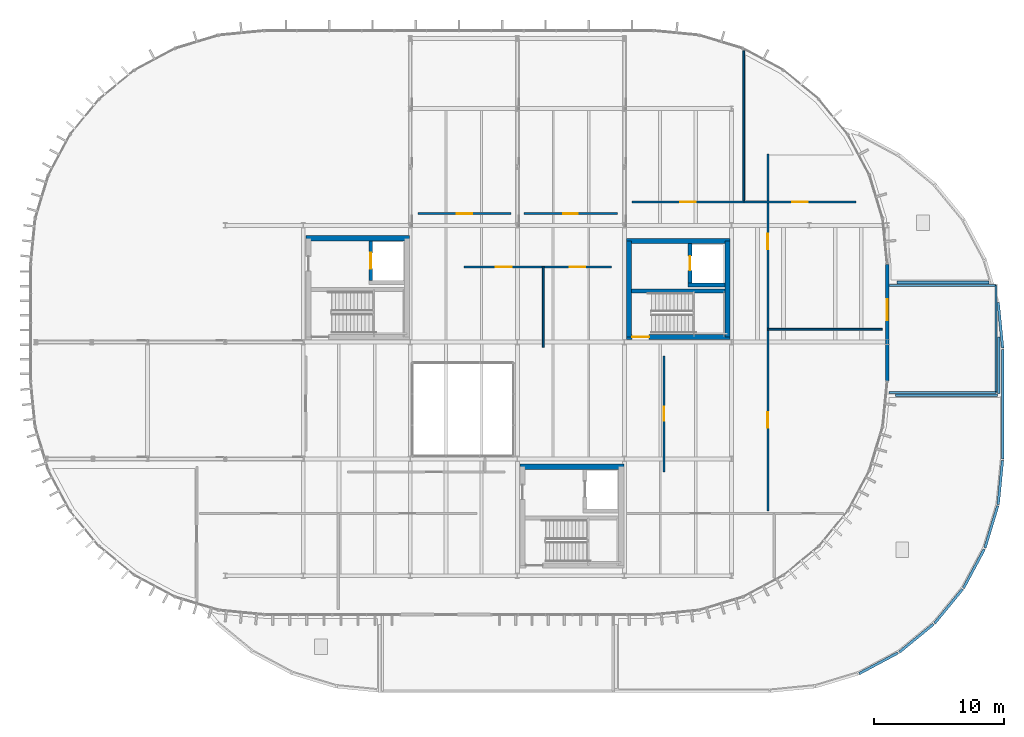
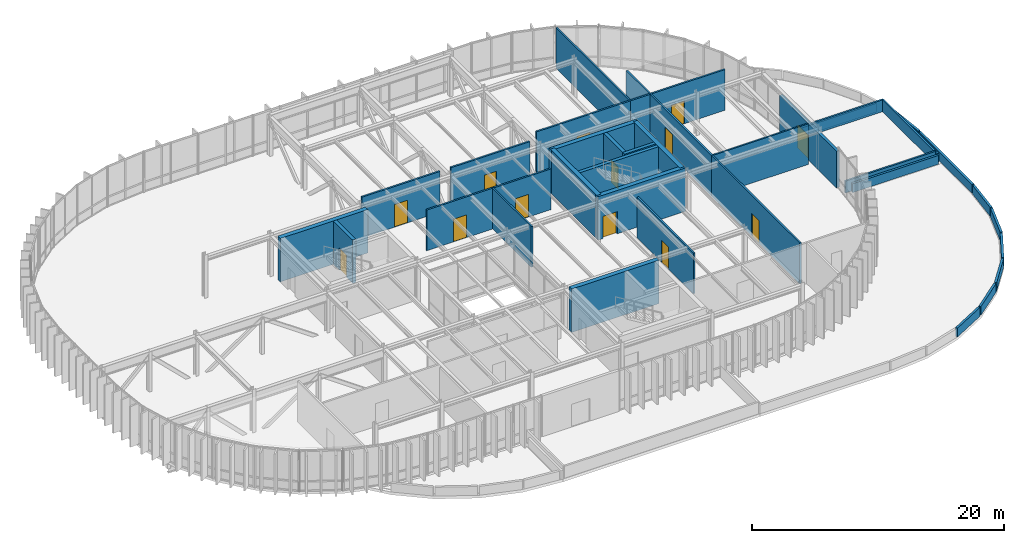
# One storey, part 23 of 29: 37 walls, 13 doors, 13 openings.
"""IFC4 building model written with IfcOpenShell, lengths in metres."""

from ifc_helpers import new_model, si_unit, direction, frame, frame_2d, origin, place, context, subcontext, project, spatial, rectangle, extrude, material, layer, layer_set, type_object, element, fill, save


model = new_model("IFC4")

# Units and contexts
model_context = context("Model", 3, precision=1e-05, world=origin(), true_north=direction((0.0, 1.0)))
body_context = subcontext(model_context, "Body", "Model", "MODEL_VIEW")
ifc_project = project(units=[si_unit("LENGTHUNIT", "METRE"), si_unit("AREAUNIT", "SQUARE_METRE"), si_unit("VOLUMEUNIT", "CUBIC_METRE"), si_unit("PLANEANGLEUNIT", "RADIAN"), si_unit("MASSUNIT", "GRAM", prefix="KILO")], contexts=[model_context])

# Site, building, storey
site_placement = place(None, origin())
site = spatial("IfcSite", under=ifc_project, at=site_placement, CompositionType="ELEMENT")
building_placement = place(site_placement, origin())
building = spatial("IfcBuilding", under=site, at=building_placement, Name="Montealbar Specialist Clinic", CompositionType="ELEMENT")
storey_placement = place(building_placement, frame((0.0, 0.0, 22.199951171875)))
storey = spatial("IfcBuildingStorey", under=building, at=storey_placement, Name="L05", CompositionType="ELEMENT", Elevation=22.199951171875)

# Wall, opening, door
ifc_material_1 = material(Name="Concrete C35/45", Category="concrete")
ifc_layer_1 = layer(ifc_material_1, 0.300048828125, Name="Concrete C35/45", Category="concrete")
ifc_layer_set_1 = layer_set([ifc_layer_1], Name="Concrete C35/45")
wall_type_1 = type_object("IfcWallType", Name="WL-CORE-300", PredefinedType="SHEAR", material=ifc_layer_set_1)
wall_1_placement = place(storey_placement, frame((71.199951171875, 31.75, 0.0), z_axis=(0.0, 0.0, 1.0), x_axis=(0.0, 1.0, 0.0)))
wall_1 = element("IfcWall", 1, at=wall_1_placement, inside=storey, type_object=wall_type_1, Name="Lift FL-01 Shaft Wall L05 LW", PredefinedType="SHEAR", context=body_context, shape_type="SweptSolid", body=[
    extrude(rectangle(XDim=3.050048828125, YDim=0.300048828125, at=frame_2d((1.52490234375, 0.0))), origin(), (0.0, 0.0, 1.0), 4.199951171875),
])
opening_1_placement = place(wall_1_placement, frame((0.925048828125, 0.0, 0.0)))
opening_1 = element("IfcOpeningElement", 2, at=opening_1_placement, cuts=wall_1, Name="Opening LD-12", PredefinedType="OPENING", context=body_context, shape_type="SweptSolid", body=[
    extrude(rectangle(XDim=1.199951171875, YDim=2.14990234375, at=frame_2d((0.60009765625, 1.074951171875))), frame((0.0, 0.159912109375, 0.0), z_axis=(0.0, -1.0, 0.0), x_axis=(1.0, 0.0, 0.0)), (0.0, 0.0, 1.0), 0.320068359375),
])
ifc_material_2 = material(Name="Steel S355", Category="steel")
door_type_1 = type_object("IfcDoorType", Name="DR-LIFT-LD1200", OperationType="DOUBLE_DOOR_SLIDING", PredefinedType="DOOR", material=ifc_material_2)
door_1_placement = place(opening_1_placement, origin())
door_1 = element("IfcDoor", 3, at=door_1_placement, inside=storey, type_object=door_type_1, Name="Lift FL-01 Sliding Landing Door L05", OperationType="DOUBLE_DOOR_SLIDING", OverallHeight=2.14990234375, OverallWidth=1.199951171875, PredefinedType="DOOR", context=body_context, shape_type="SweptSolid", body=[
    extrude(rectangle(XDim=1.199951171875, YDim=2.14990234375, at=frame_2d((0.60009765625, 1.074951171875))), frame((0.0, 0.02490234375, 0.0), z_axis=(0.0, -1.0, 0.0), x_axis=(1.0, 0.0, 0.0)), (0.0, 0.0, 1.0), 0.050048828125),
])
fill(opening_1, door_1)

# Walls
wall_2_placement = place(storey_placement, frame((91.300048828125, 30.949951171875, 0.0), z_axis=(0.0, 0.0, 1.0), x_axis=(1.0, 0.0, 0.0)))
element("IfcWall", 4, at=wall_2_placement, inside=storey, type_object=wall_type_1, Name="Core C5 Stairwell Wall L05", PredefinedType="SHEAR", context=body_context, shape_type="SweptSolid", body=[
    extrude(rectangle(XDim=7.199951171875, YDim=0.300048828125, at=frame_2d((3.60009765625, 0.0))), origin(), (0.0, 0.0, 1.0), 4.199951171875),
])
wall_3_placement = place(storey_placement, frame((95.64990234375, 31.39990234375, 0.0), z_axis=(0.0, 0.0, 1.0), x_axis=(1.0, 0.0, 0.0)))
element("IfcWall", 5, at=wall_3_placement, inside=storey, type_object=wall_type_1, Name="Lift LF-03 Shaft Wall L05 LS", PredefinedType="SHEAR", context=body_context, shape_type="SweptSolid", body=[
    extrude(rectangle(XDim=2.85009765625, YDim=0.300048828125, at=frame_2d((1.425048828125, 0.0))), origin(), (0.0, 0.0, 1.0), 4.199951171875),
])

# Wall, opening, door
wall_4_placement = place(storey_placement, frame((95.800048828125, 31.550048828125, 0.0), z_axis=(0.0, 0.0, 1.0), x_axis=(0.0, 1.0, 0.0)))
wall_4 = element("IfcWall", 6, at=wall_4_placement, inside=storey, type_object=wall_type_1, Name="Lift LF-03 Shaft Wall L05 LW", PredefinedType="SHEAR", context=body_context, shape_type="SweptSolid", body=[
    extrude(rectangle(XDim=3.050048828125, YDim=0.300048828125, at=frame_2d((1.52490234375, 0.0))), origin(), (0.0, 0.0, 1.0), 4.199951171875),
])
opening_2_placement = place(wall_4_placement, frame((0.97509765625, 0.0, 0.0)))
opening_2 = element("IfcOpeningElement", 7, at=opening_2_placement, cuts=wall_4, Name="Opening LD-11", PredefinedType="OPENING", context=body_context, shape_type="SweptSolid", body=[
    extrude(rectangle(XDim=1.10009765625, YDim=2.14990234375, at=frame_2d((0.550048828125, 1.074951171875))), frame((0.0, 0.159912109375, 0.0), z_axis=(0.0, -1.0, 0.0), x_axis=(1.0, 0.0, 0.0)), (0.0, 0.0, 1.0), 0.320068359375),
])
door_type_2 = type_object("IfcDoorType", Name="DR-LIFT-LD1100", OperationType="DOUBLE_DOOR_SLIDING", PredefinedType="DOOR", material=ifc_material_2)
door_2_placement = place(opening_2_placement, origin())
door_2 = element("IfcDoor", 8, at=door_2_placement, inside=storey, type_object=door_type_2, Name="Lift LF-03 Sliding Landing Door L05", OperationType="DOUBLE_DOOR_SLIDING", OverallHeight=2.14990234375, OverallWidth=1.10009765625, PredefinedType="DOOR", context=body_context, shape_type="SweptSolid", body=[
    extrude(rectangle(XDim=1.10009765625, YDim=2.14990234375, at=frame_2d((0.550048828125, 1.074951171875))), frame((0.0, 0.02490234375, 0.0), z_axis=(0.0, -1.0, 0.0), x_axis=(1.0, 0.0, 0.0)), (0.0, 0.0, 1.0), 0.050048828125),
])
fill(opening_2, door_2)

# Walls
ifc_layer_2 = layer(ifc_material_1, 0.39990234375, Name="Concrete C35/45", Category="concrete")
ifc_layer_set_2 = layer_set([ifc_layer_2], Name="Concrete C35/45")
wall_type_2 = type_object("IfcWallType", Name="WL-CORE-400", PredefinedType="SHEAR", material=ifc_layer_set_2)
for number, where, z_axis, x_axis, name in (
    (9, (66.199951171875, 35.0, 0.0), (0.0, 0.0, 1.0), (1.0, 0.0, 0.0), "Core C3 Shear Wall L05 N"),
    (10, (82.699951171875, 17.39990234375, 0.0), (0.0, 0.0, 1.0), (1.0, 0.0, 0.0), "Core C4 Shear Wall L05 N"),
):
    element("IfcWall", number, at=place(storey_placement, frame(where, z_axis=z_axis, x_axis=x_axis)), inside=storey, type_object=wall_type_2, Name=name, PredefinedType="SHEAR", context=body_context, shape_type="SweptSolid", body=[
        extrude(rectangle(XDim=8.0, YDim=0.39990234375, at=frame_2d((4.0, 0.0))), origin(), (0.0, 0.0, 1.0), 4.199951171875),
    ])

# Wall, opening, door
wall_5_placement = place(storey_placement, frame((90.89990234375, 27.39990234375, 0.0), z_axis=(0.0, 0.0, 1.0), x_axis=(1.0, 0.0, 0.0)))
wall_5 = element("IfcWall", 11, at=wall_5_placement, inside=storey, type_object=wall_type_2, Name="Core C5 Shear Wall L05 S", PredefinedType="SHEAR", context=body_context, shape_type="SweptSolid", body=[
    extrude(rectangle(XDim=8.0, YDim=0.39990234375, at=frame_2d((4.0, 0.0))), origin(), (0.0, 0.0, 1.0), 4.199951171875),
])
opening_3_placement = place(wall_5_placement, frame((0.449951171875, 0.0, 0.0)))
opening_3 = element("IfcOpeningElement", 12, at=opening_3_placement, cuts=wall_5, Name="Opening SD-13", PredefinedType="OPENING", context=body_context, shape_type="SweptSolid", body=[
    extrude(rectangle(XDim=1.300048828125, YDim=2.14990234375, at=frame_2d((0.64990234375, 1.074951171875))), frame((0.0, 0.2099609375, 0.0), z_axis=(0.0, -1.0, 0.0), x_axis=(1.0, 0.0, 0.0)), (0.0, 0.0, 1.0), 0.419921875),
])
door_type_3 = type_object("IfcDoorType", Name="DR-STAIR-W1300", OperationType="NOTDEFINED", PredefinedType="DOOR", material=ifc_material_2)
door_3_placement = place(opening_3_placement, frame((1.300048828125, 0.0, 0.0), z_axis=(0.0, 0.0, 1.0), x_axis=(-1.0, 0.0, 0.0)))
door_3 = element("IfcDoor", 13, at=door_3_placement, inside=storey, type_object=door_type_3, Name="Protected Core C5 Stair Fire Door L05", OperationType="SINGLE_SWING_RIGHT", OverallHeight=2.14990234375, OverallWidth=1.300048828125, PredefinedType="DOOR", context=body_context, shape_type="SweptSolid", body=[
    extrude(rectangle(XDim=1.300048828125, YDim=2.14990234375, at=frame_2d((0.64990234375, 1.074951171875))), frame((0.0, 0.02490234375, 0.0), z_axis=(0.0, -1.0, 0.0), x_axis=(1.0, 0.0, 0.0)), (0.0, 0.0, 1.0), 0.050048828125),
])
fill(opening_3, door_3)

# Walls
wall_6_placement = place(storey_placement, frame((90.89990234375, 34.800048828125, 0.0), z_axis=(0.0, 0.0, 1.0), x_axis=(1.0, 0.0, 0.0)))
element("IfcWall", 14, at=wall_6_placement, inside=storey, type_object=wall_type_2, Name="Core C5 Shear Wall L05 N", PredefinedType="SHEAR", context=body_context, shape_type="SweptSolid", body=[
    extrude(rectangle(XDim=8.0, YDim=0.39990234375, at=frame_2d((4.0, 0.0))), origin(), (0.0, 0.0, 1.0), 4.199951171875),
])
for number, where, z_axis, x_axis, name in (
    (15, (91.10009765625, 27.39990234375, 0.0), (0.0, 0.0, 1.0), (0.0, 1.0, 0.0), "Core C5 Shear Wall L05 W"),
    (16, (98.699951171875, 27.39990234375, 0.0), (0.0, 0.0, 1.0), (0.0, 1.0, 0.0), "Core C5 Shear Wall L05 E"),
):
    element("IfcWall", number, at=place(storey_placement, frame(where, z_axis=z_axis, x_axis=x_axis)), inside=storey, type_object=wall_type_2, Name=name, PredefinedType="SHEAR", context=body_context, shape_type="SweptSolid", body=[
        extrude(rectangle(XDim=7.400146484375, YDim=0.39990234375, at=frame_2d((3.7001953125, 0.0))), origin(), (0.0, 0.0, 1.0), 4.199951171875),
    ])

# Wall, opening, door
ifc_material_3 = material(Name="Terracotta architectural cladding", Category="masonry")
ifc_layer_3 = layer(ifc_material_3, 0.260009765625, Name="Terracotta architectural cladding", Category="masonry")
ifc_layer_set_3 = layer_set([ifc_layer_3], Name="Terracotta architectural cladding")
wall_type_3 = type_object("IfcWallType", Name="WL-EXT-TERRA-260", PredefinedType="SOLIDWALL", material=ifc_layer_set_3)
wall_7_placement = place(storey_placement, frame((111.0, 33.0, 0.0), z_axis=(0.0, 0.0, 1.0), x_axis=(0.0, -1.0, 0.0)))
wall_7 = element("IfcWall", 17, at=wall_7_placement, inside=storey, type_object=wall_type_3, Name="Exterior Facade Wall EW-L05-065", PredefinedType="SOLIDWALL", context=body_context, shape_type="SweptSolid", body=[
    extrude(rectangle(XDim=9.0, YDim=0.260009765625, at=frame_2d((4.5, 0.0))), origin(), (0.0, 0.0, 1.0), 3.5400390625),
])
opening_4_placement = place(wall_7_placement, frame((2.675048828125, 0.0, 0.0)))
opening_4 = element("IfcOpeningElement", 18, at=opening_4_placement, cuts=wall_7, Name="Opening TD-16", PredefinedType="OPENING", context=body_context, shape_type="SweptSolid", body=[
    extrude(rectangle(XDim=1.64990234375, YDim=2.199951171875, at=frame_2d((0.824951171875, 1.10009765625))), frame((0.0, 0.139892578125, 0.0), z_axis=(0.0, -1.0, 0.0), x_axis=(1.0, 0.0, 0.0)), (0.0, 0.0, 1.0), 0.280029296875),
])
ifc_material_4 = material(Name="Powder-coated aluminium", Category="aluminium")
door_type_4 = type_object("IfcDoorType", Name="DR-TERR-W1650", OperationType="DOUBLE_DOOR_SINGLE_SWING", PredefinedType="DOOR", material=ifc_material_4)
door_4_placement = place(opening_4_placement, origin())
door_4 = element("IfcDoor", 19, at=door_4_placement, inside=storey, type_object=door_type_4, Name="East Sky-Garden Terrace Door L05", OperationType="DOUBLE_DOOR_SINGLE_SWING", OverallHeight=2.199951171875, OverallWidth=1.64990234375, PredefinedType="DOOR", context=body_context, shape_type="SweptSolid", body=[
    extrude(rectangle(XDim=1.64990234375, YDim=2.199951171875, at=frame_2d((0.824951171875, 1.10009765625))), frame((0.0, 0.02490234375, 0.0), z_axis=(0.0, -1.0, 0.0), x_axis=(1.0, 0.0, 0.0)), (0.0, 0.0, 1.0), 0.050048828125),
])
fill(opening_4, door_4)

# Walls
ifc_material_5 = material(Name="Guadarrama granite ashlar", Category="masonry")
ifc_layer_4 = layer(ifc_material_5, 0.159912109375, Name="Guadarrama granite ashlar", Category="masonry")
ifc_layer_set_4 = layer_set([ifc_layer_4], Name="Guadarrama granite ashlar")
wall_type_4 = type_object("IfcWallType", Name="WL-PARAPET-160", PredefinedType="PARAPET", material=ifc_layer_set_4)
for number, where, z_axis, x_axis, name in (
    (20, (119.3798828125, 23.1201171875, 0.0), (0.0, 0.0, 1.0), (0.0, 1.0, 0.0), "Terrace Separation Parapet TERR-L05-EAST-E"),
    (21, (111.1201171875, 31.3798828125, 0.0), (0.0, 0.0, 1.0), (1.0, 0.0, 0.0), "Terrace Separation Parapet TERR-L05-EAST-N"),
    (22, (111.1201171875, 23.1201171875, 0.0), (0.0, 0.0, 1.0), (1.0, 0.0, 0.0), "Terrace Separation Parapet TERR-L05-EAST-S"),
):
    element("IfcWall", number, at=place(storey_placement, frame(where, z_axis=z_axis, x_axis=x_axis)), inside=storey, type_object=wall_type_4, Name=name, PredefinedType="PARAPET", context=body_context, shape_type="SweptSolid", body=[
        extrude(rectangle(XDim=8.259765625, YDim=0.159912109375, at=frame_2d((4.1298828125, 0.0))), origin(), (0.0, 0.0, 1.0), 1.14013671875),
    ])
ifc_material_6 = material(Name="Precast concrete C40/50", Category="concrete")
ifc_layer_5 = layer(ifc_material_6, 0.199951171875, Name="Precast concrete C40/50", Category="concrete")
ifc_layer_set_5 = layer_set([ifc_layer_5], Name="Precast concrete C40/50")
wall_type_5 = type_object("IfcWallType", Name="WL-PARAPET-200", PredefinedType="PARAPET", material=ifc_layer_set_5)
wall_8_placement = place(storey_placement, frame((119.553955078125, 30.052001953125, 0.0), z_axis=(0.0, 0.0, 1.0), x_axis=(0.098030923459, -0.995183369056, 0.0)))
element("IfcWall", 23, at=wall_8_placement, inside=storey, type_object=wall_type_5, Name="Roof Parapet L05-049", PredefinedType="PARAPET", context=body_context, shape_type="SweptSolid", body=[
    extrude(rectangle(XDim=3.529052734375, YDim=0.199951171875, at=frame_2d((1.7646484375, 0.0))), origin(), (0.0, 0.0, 1.0), 0.85009765625),
])
wall_9_placement = place(storey_placement, frame((119.89990234375, 26.424072265625, 0.0), z_axis=(0.0, 0.0, 1.0), x_axis=(0.0, -1.0, 0.0)))
element("IfcWall", 24, at=wall_9_placement, inside=storey, type_object=wall_type_5, Name="Roof Parapet L05-050", PredefinedType="PARAPET", context=body_context, shape_type="SweptSolid", body=[
    extrude(rectangle(XDim=8.424072265625, YDim=0.199951171875, at=frame_2d((4.2119140625, 0.0))), origin(), (0.0, 0.0, 1.0), 0.85009765625),
])
wall_10_placement = place(storey_placement, frame((119.887939453125, 17.885009765625, 0.0), z_axis=(0.0, 0.0, 1.0), x_axis=(-0.098132855601, -0.99517332292, 0.0)))
element("IfcWall", 25, at=wall_10_placement, inside=storey, type_object=wall_type_5, Name="Roof Parapet L05-051", PredefinedType="PARAPET", context=body_context, shape_type="SweptSolid", body=[
    extrude(rectangle(XDim=3.4033203125, YDim=0.199951171875, at=frame_2d((1.70166015625, 0.0))), origin(), (0.0, 0.0, 1.0), 0.85009765625),
])
wall_11_placement = place(storey_placement, frame((119.51806640625, 14.385986328125, 0.0), z_axis=(0.0, 0.0, 1.0), x_axis=(-0.290233198067, -0.956955950261, 0.0)))
element("IfcWall", 26, at=wall_11_placement, inside=storey, type_object=wall_type_5, Name="Roof Parapet L05-052", PredefinedType="PARAPET", context=body_context, shape_type="SweptSolid", body=[
    extrude(rectangle(XDim=3.390869140625, YDim=0.199951171875, at=frame_2d((1.6953125, 0.0))), origin(), (0.0, 0.0, 1.0), 0.85009765625),
])
for number, where, z_axis, x_axis, name in (
    (27, (118.47705078125, 11.0380859375, 0.0), (0.0, 0.0, 1.0), (-0.471492141257, -0.881870262983, 0.0), "Roof Parapet L05-053"),
    (28, (116.802001953125, 7.95703125, 0.0), (0.0, 0.0, 1.0), (-0.634260351342, -0.773119529385, 0.0), "Roof Parapet L05-054"),
):
    element("IfcWall", number, at=place(storey_placement, frame(where, z_axis=z_axis, x_axis=x_axis)), inside=storey, type_object=wall_type_5, Name=name, PredefinedType="PARAPET", context=body_context, shape_type="SweptSolid", body=[
        extrude(rectangle(XDim=3.3916015625, YDim=0.199951171875, at=frame_2d((1.69580078125, 0.0))), origin(), (0.0, 0.0, 1.0), 0.85009765625),
    ])
wall_12_placement = place(storey_placement, frame((114.55908203125, 5.261962890625, 0.0), z_axis=(0.0, 0.0, 1.0), x_axis=(-0.773154828325, -0.634217321931, 0.0)))
element("IfcWall", 29, at=wall_12_placement, inside=storey, type_object=wall_type_5, Name="Roof Parapet L05-055", PredefinedType="PARAPET", context=body_context, shape_type="SweptSolid", body=[
    extrude(rectangle(XDim=3.391357421875, YDim=0.199951171875, at=frame_2d((1.69580078125, 0.0))), origin(), (0.0, 0.0, 1.0), 0.85009765625),
])
wall_13_placement = place(storey_placement, frame((111.83203125, 3.056884765625, 0.0), z_axis=(0.0, 0.0, 1.0), x_axis=(-0.881900192607, -0.471436157161, 0.0)))
element("IfcWall", 30, at=wall_13_placement, inside=storey, type_object=wall_type_5, Name="Roof Parapet L05-056", PredefinedType="PARAPET", context=body_context, shape_type="SweptSolid", body=[
    extrude(rectangle(XDim=3.3916015625, YDim=0.199951171875, at=frame_2d((1.69580078125, 0.0))), origin(), (0.0, 0.0, 1.0), 0.85009765625),
])
wall_14_placement = place(storey_placement, frame((111.655029296875, 22.89990234375, 0.0), z_axis=(0.0, 0.0, 1.0), x_axis=(1.0, 0.0, 0.0)))
element("IfcWall", 31, at=wall_14_placement, inside=storey, type_object=wall_type_5, Name="Roof Parapet L05-061", PredefinedType="PARAPET", context=body_context, shape_type="SweptSolid", body=[
    extrude(rectangle(XDim=7.844970703125, YDim=0.199951171875, at=frame_2d((3.92236328125, 0.0))), origin(), (0.0, 0.0, 1.0), 0.85009765625),
])
wall_15_placement = place(storey_placement, frame((119.60009765625, 23.056884765625, 0.0), z_axis=(0.0, 0.0, 1.0), x_axis=(0.0, 1.0, 0.0)))
element("IfcWall", 32, at=wall_15_placement, inside=storey, type_object=wall_type_5, Name="Roof Parapet L05-062", PredefinedType="PARAPET", context=body_context, shape_type="SweptSolid", body=[
    extrude(rectangle(XDim=4.335205078125, YDim=0.199951171875, at=frame_2d((2.16748046875, 0.0))), origin(), (0.0, 0.0, 1.0), 0.85009765625),
])
wall_16_placement = place(storey_placement, frame((118.85791015625, 31.60009765625, 0.0), z_axis=(0.0, 0.0, 1.0), x_axis=(-1.0, 0.0, 0.0)))
element("IfcWall", 33, at=wall_16_placement, inside=storey, type_object=wall_type_5, Name="Roof Parapet L05-067", PredefinedType="PARAPET", context=body_context, shape_type="SweptSolid", body=[
    extrude(rectangle(XDim=7.10791015625, YDim=0.199951171875, at=frame_2d((3.553955078125, 0.0))), origin(), (0.0, 0.0, 1.0), 0.85009765625),
])
ifc_material_7 = material(Name="Gypsum acoustic partition", Category="gypsum")
ifc_layer_6 = layer(ifc_material_7, 0.139892578125, Name="Gypsum acoustic partition", Category="gypsum")
ifc_layer_set_6 = layer_set([ifc_layer_6], Name="Gypsum acoustic partition")
wall_type_6 = type_object("IfcWallType", Name="WL-PART-ACOUSTIC-140", PredefinedType="PARTITIONING", material=ifc_layer_set_6)
wall_17_placement = place(storey_placement, frame((101.800048828125, 28.0, 0.0), z_axis=(0.0, 0.0, 1.0), x_axis=(1.0, 0.0, 0.0)))
element("IfcWall", 34, at=wall_17_placement, inside=storey, type_object=wall_type_6, Name="Clinical Partition PART-L05-0230", PredefinedType="PARTITIONING", context=body_context, shape_type="SweptSolid", body=[
    extrude(rectangle(XDim=8.800048828125, YDim=0.139892578125, at=frame_2d((4.39990234375, 0.0))), origin(), (0.0, 0.0, 1.0), 3.93994140625),
])
wall_18_placement = place(storey_placement, frame((99.949951171875, 37.800048828125, 0.0), z_axis=(0.0, 0.0, 1.0), x_axis=(0.0, 1.0, 0.0)))
element("IfcWall", 35, at=wall_18_placement, inside=storey, type_object=wall_type_6, Name="Clinical Partition PART-L05-0236", PredefinedType="PARTITIONING", context=body_context, shape_type="SweptSolid", body=[
    extrude(rectangle(XDim=11.637939453125, YDim=0.139892578125, at=frame_2d((5.81884765625, 0.0))), origin(), (0.0, 0.0, 1.0), 3.93994140625),
])
wall_19_placement = place(storey_placement, frame((84.5, 26.60009765625, 0.0), z_axis=(0.0, 0.0, 1.0), x_axis=(0.0, 1.0, 0.0)))
element("IfcWall", 36, at=wall_19_placement, inside=storey, type_object=wall_type_6, Name="Clinical Partition PART-L05-0274", PredefinedType="PARTITIONING", context=body_context, shape_type="SweptSolid", body=[
    extrude(rectangle(XDim=6.199951171875, YDim=0.139892578125, at=frame_2d((3.10009765625, 0.0))), origin(), (0.0, 0.0, 1.0), 3.93994140625),
])

# Wall, opening, door
ifc_layer_7 = layer(ifc_material_7, 0.159912109375, Name="Gypsum acoustic partition", Category="gypsum")
ifc_layer_set_7 = layer_set([ifc_layer_7], Name="Gypsum acoustic partition")
wall_type_7 = type_object("IfcWallType", Name="WL-PART-CLINIC-160", PredefinedType="PARTITIONING", material=ifc_layer_set_7)
wall_20_placement = place(storey_placement, frame((101.800048828125, 14.0, 0.0), z_axis=(0.0, 0.0, 1.0), x_axis=(0.0, 1.0, 0.0)))
wall_20 = element("IfcWall", 37, at=wall_20_placement, inside=storey, type_object=wall_type_7, Name="Clinical Partition PART-L05-0229", PredefinedType="PARTITIONING", context=body_context, shape_type="SweptSolid", body=[
    extrude(rectangle(XDim=14.0, YDim=0.159912109375, at=frame_2d((7.0, 0.0))), origin(), (0.0, 0.0, 1.0), 3.93994140625),
])
opening_5_placement = place(wall_20_placement, frame((6.39990234375, 0.0, 0.0)))
opening_5 = element("IfcOpeningElement", 38, at=opening_5_placement, cuts=wall_20, Name="Opening ID-120", PredefinedType="OPENING", context=body_context, shape_type="SweptSolid", body=[
    extrude(rectangle(XDim=1.199951171875, YDim=2.199951171875, at=frame_2d((0.60009765625, 1.10009765625))), frame((0.0, 0.08984375, 0.0), z_axis=(0.0, -1.0, 0.0), x_axis=(1.0, 0.0, 0.0)), (0.0, 0.0, 1.0), 0.179931640625),
])
ifc_material_8 = material(Name="Acoustic timber leaf", Category="wood")
door_type_5 = type_object("IfcDoorType", Name="DR-CLIN-W1200", OperationType="NOTDEFINED", PredefinedType="DOOR", material=ifc_material_8)
door_5_placement = place(opening_5_placement, origin())
door_5 = element("IfcDoor", 39, at=door_5_placement, inside=storey, type_object=door_type_5, Name="Clinical Room Door IDR-L05-0146", OperationType="SINGLE_SWING_LEFT", OverallHeight=2.199951171875, OverallWidth=1.199951171875, PredefinedType="DOOR", context=body_context, shape_type="SweptSolid", body=[
    extrude(rectangle(XDim=1.199951171875, YDim=2.199951171875, at=frame_2d((0.60009765625, 1.10009765625))), frame((0.0, 0.02490234375, 0.0), z_axis=(0.0, -1.0, 0.0), x_axis=(1.0, 0.0, 0.0)), (0.0, 0.0, 1.0), 0.050048828125),
])
fill(opening_5, door_5)

wall_21_placement = place(storey_placement, frame((101.800048828125, 28.0, 0.0), z_axis=(0.0, 0.0, 1.0), x_axis=(0.0, 1.0, 0.0)))
wall_21 = element("IfcWall", 40, at=wall_21_placement, inside=storey, type_object=wall_type_7, Name="Clinical Partition PART-L05-0231", PredefinedType="PARTITIONING", context=body_context, shape_type="SweptSolid", body=[
    extrude(rectangle(XDim=13.5, YDim=0.159912109375, at=frame_2d((6.75, 0.0))), origin(), (0.0, 0.0, 1.0), 3.93994140625),
])
opening_6_placement = place(wall_21_placement, frame((6.14990234375, 0.0, 0.0)))
opening_6 = element("IfcOpeningElement", 41, at=opening_6_placement, cuts=wall_21, Name="Opening ID-120", PredefinedType="OPENING", context=body_context, shape_type="SweptSolid", body=[
    extrude(rectangle(XDim=1.199951171875, YDim=2.199951171875, at=frame_2d((0.60009765625, 1.10009765625))), frame((0.0, 0.08984375, 0.0), z_axis=(0.0, -1.0, 0.0), x_axis=(1.0, 0.0, 0.0)), (0.0, 0.0, 1.0), 0.179931640625),
])
door_6_placement = place(opening_6_placement, origin())
door_6 = element("IfcDoor", 42, at=door_6_placement, inside=storey, type_object=door_type_5, Name="Clinical Room Door IDR-L05-0147", OperationType="SINGLE_SWING_RIGHT", OverallHeight=2.199951171875, OverallWidth=1.199951171875, PredefinedType="DOOR", context=body_context, shape_type="SweptSolid", body=[
    extrude(rectangle(XDim=1.199951171875, YDim=2.199951171875, at=frame_2d((0.60009765625, 1.10009765625))), frame((0.0, 0.02490234375, 0.0), z_axis=(0.0, -1.0, 0.0), x_axis=(1.0, 0.0, 0.0)), (0.0, 0.0, 1.0), 0.050048828125),
])
fill(opening_6, door_6)

wall_22_placement = place(storey_placement, frame((74.85009765625, 36.89990234375, 0.0), z_axis=(0.0, 0.0, 1.0), x_axis=(1.0, 0.0, 0.0)))
wall_22 = element("IfcWall", 43, at=wall_22_placement, inside=storey, type_object=wall_type_7, Name="Clinical Partition PART-L05-0233", PredefinedType="PARTITIONING", context=body_context, shape_type="SweptSolid", body=[
    extrude(rectangle(XDim=7.14990234375, YDim=0.159912109375, at=frame_2d((3.574951171875, 0.0))), origin(), (0.0, 0.0, 1.0), 3.93994140625),
])
opening_7_placement = place(wall_22_placement, frame((2.97509765625, 0.0, 0.0)))
opening_7 = element("IfcOpeningElement", 44, at=opening_7_placement, cuts=wall_22, Name="Opening ID-120", PredefinedType="OPENING", context=body_context, shape_type="SweptSolid", body=[
    extrude(rectangle(XDim=1.199951171875, YDim=2.199951171875, at=frame_2d((0.60009765625, 1.10009765625))), frame((0.0, 0.08984375, 0.0), z_axis=(0.0, -1.0, 0.0), x_axis=(1.0, 0.0, 0.0)), (0.0, 0.0, 1.0), 0.179931640625),
])
door_7_placement = place(opening_7_placement, frame((1.199951171875, 0.0, 0.0), z_axis=(0.0, 0.0, 1.0), x_axis=(-1.0, 0.0, 0.0)))
door_7 = element("IfcDoor", 45, at=door_7_placement, inside=storey, type_object=door_type_5, Name="Clinical Room Door IDR-L05-0149", OperationType="SINGLE_SWING_RIGHT", OverallHeight=2.199951171875, OverallWidth=1.199951171875, PredefinedType="DOOR", context=body_context, shape_type="SweptSolid", body=[
    extrude(rectangle(XDim=1.199951171875, YDim=2.199951171875, at=frame_2d((0.60009765625, 1.10009765625))), frame((0.0, 0.02490234375, 0.0), z_axis=(0.0, -1.0, 0.0), x_axis=(1.0, 0.0, 0.0)), (0.0, 0.0, 1.0), 0.050048828125),
])
fill(opening_7, door_7)

wall_23_placement = place(storey_placement, frame((83.0, 36.89990234375, 0.0), z_axis=(0.0, 0.0, 1.0), x_axis=(1.0, 0.0, 0.0)))
wall_23 = element("IfcWall", 46, at=wall_23_placement, inside=storey, type_object=wall_type_7, Name="Clinical Partition PART-L05-0234", PredefinedType="PARTITIONING", context=body_context, shape_type="SweptSolid", body=[
    extrude(rectangle(XDim=7.199951171875, YDim=0.159912109375, at=frame_2d((3.60009765625, 0.0))), origin(), (0.0, 0.0, 1.0), 3.93994140625),
])
opening_8_placement = place(wall_23_placement, frame((3.050048828125, 0.0, 0.0)))
opening_8 = element("IfcOpeningElement", 47, at=opening_8_placement, cuts=wall_23, Name="Opening ID-110", PredefinedType="OPENING", context=body_context, shape_type="SweptSolid", body=[
    extrude(rectangle(XDim=1.10009765625, YDim=2.14990234375, at=frame_2d((0.550048828125, 1.074951171875))), frame((0.0, 0.08984375, 0.0), z_axis=(0.0, -1.0, 0.0), x_axis=(1.0, 0.0, 0.0)), (0.0, 0.0, 1.0), 0.179931640625),
])
door_type_6 = type_object("IfcDoorType", Name="DR-CLIN-W1100", OperationType="NOTDEFINED", PredefinedType="DOOR", material=ifc_material_8)
door_8_placement = place(opening_8_placement, frame((1.10009765625, 0.0, 0.0), z_axis=(0.0, 0.0, 1.0), x_axis=(-1.0, 0.0, 0.0)))
door_8 = element("IfcDoor", 48, at=door_8_placement, inside=storey, type_object=door_type_6, Name="Clinical Room Door IDR-L05-0150", OperationType="SINGLE_SWING_LEFT", OverallHeight=2.14990234375, OverallWidth=1.10009765625, PredefinedType="DOOR", context=body_context, shape_type="SweptSolid", body=[
    extrude(rectangle(XDim=1.10009765625, YDim=2.14990234375, at=frame_2d((0.550048828125, 1.074951171875))), frame((0.0, 0.02490234375, 0.0), z_axis=(0.0, -1.0, 0.0), x_axis=(1.0, 0.0, 0.0)), (0.0, 0.0, 1.0), 0.050048828125),
])
fill(opening_8, door_8)

wall_24_placement = place(storey_placement, frame((91.35009765625, 37.800048828125, 0.0), z_axis=(0.0, 0.0, 1.0), x_axis=(1.0, 0.0, 0.0)))
wall_24 = element("IfcWall", 49, at=wall_24_placement, inside=storey, type_object=wall_type_7, Name="Clinical Partition PART-L05-0235", PredefinedType="PARTITIONING", context=body_context, shape_type="SweptSolid", body=[
    extrude(rectangle(XDim=8.599853515625, YDim=0.159912109375, at=frame_2d((4.2998046875, 0.0))), origin(), (0.0, 0.0, 1.0), 3.93994140625),
])
opening_9_placement = place(wall_24_placement, frame((3.699951171875, 0.0, 0.0)))
opening_9 = element("IfcOpeningElement", 50, at=opening_9_placement, cuts=wall_24, Name="Opening ID-120", PredefinedType="OPENING", context=body_context, shape_type="SweptSolid", body=[
    extrude(rectangle(XDim=1.199951171875, YDim=2.199951171875, at=frame_2d((0.60009765625, 1.10009765625))), frame((0.0, 0.08984375, 0.0), z_axis=(0.0, -1.0, 0.0), x_axis=(1.0, 0.0, 0.0)), (0.0, 0.0, 1.0), 0.179931640625),
])
door_9_placement = place(opening_9_placement, frame((1.199951171875, 0.0, 0.0), z_axis=(0.0, 0.0, 1.0), x_axis=(-1.0, 0.0, 0.0)))
door_9 = element("IfcDoor", 51, at=door_9_placement, inside=storey, type_object=door_type_5, Name="Clinical Room Door IDR-L05-0151", OperationType="SINGLE_SWING_RIGHT", OverallHeight=2.199951171875, OverallWidth=1.199951171875, PredefinedType="DOOR", context=body_context, shape_type="SweptSolid", body=[
    extrude(rectangle(XDim=1.199951171875, YDim=2.199951171875, at=frame_2d((0.60009765625, 1.10009765625))), frame((0.0, 0.02490234375, 0.0), z_axis=(0.0, -1.0, 0.0), x_axis=(1.0, 0.0, 0.0)), (0.0, 0.0, 1.0), 0.050048828125),
])
fill(opening_9, door_9)

wall_25_placement = place(storey_placement, frame((99.949951171875, 37.800048828125, 0.0), z_axis=(0.0, 0.0, 1.0), x_axis=(1.0, 0.0, 0.0)))
wall_25 = element("IfcWall", 52, at=wall_25_placement, inside=storey, type_object=wall_type_7, Name="Clinical Partition PART-L05-0237", PredefinedType="PARTITIONING", context=body_context, shape_type="SweptSolid", body=[
    extrude(rectangle(XDim=8.650146484375, YDim=0.159912109375, at=frame_2d((4.3251953125, 0.0))), origin(), (0.0, 0.0, 1.0), 3.93994140625),
])
opening_10_placement = place(wall_25_placement, frame((3.72509765625, 0.0, 0.0)))
opening_10 = element("IfcOpeningElement", 53, at=opening_10_placement, cuts=wall_25, Name="Opening ID-120", PredefinedType="OPENING", context=body_context, shape_type="SweptSolid", body=[
    extrude(rectangle(XDim=1.199951171875, YDim=2.199951171875, at=frame_2d((0.60009765625, 1.10009765625))), frame((0.0, 0.08984375, 0.0), z_axis=(0.0, -1.0, 0.0), x_axis=(1.0, 0.0, 0.0)), (0.0, 0.0, 1.0), 0.179931640625),
])
door_10_placement = place(opening_10_placement, frame((1.199951171875, 0.0, 0.0), z_axis=(0.0, 0.0, 1.0), x_axis=(-1.0, 0.0, 0.0)))
door_10 = element("IfcDoor", 54, at=door_10_placement, inside=storey, type_object=door_type_5, Name="Clinical Room Door IDR-L05-0152", OperationType="SINGLE_SWING_LEFT", OverallHeight=2.199951171875, OverallWidth=1.199951171875, PredefinedType="DOOR", context=body_context, shape_type="SweptSolid", body=[
    extrude(rectangle(XDim=1.199951171875, YDim=2.199951171875, at=frame_2d((0.60009765625, 1.10009765625))), frame((0.0, 0.02490234375, 0.0), z_axis=(0.0, -1.0, 0.0), x_axis=(1.0, 0.0, 0.0)), (0.0, 0.0, 1.0), 0.050048828125),
])
fill(opening_10, door_10)

wall_26_placement = place(storey_placement, frame((78.39990234375, 32.800048828125, 0.0), z_axis=(0.0, 0.0, 1.0), x_axis=(1.0, 0.0, 0.0)))
wall_26 = element("IfcWall", 55, at=wall_26_placement, inside=storey, type_object=wall_type_7, Name="Clinical Partition PART-L05-0273", PredefinedType="PARTITIONING", context=body_context, shape_type="SweptSolid", body=[
    extrude(rectangle(XDim=6.10009765625, YDim=0.159912109375, at=frame_2d((3.050048828125, 0.0))), origin(), (0.0, 0.0, 1.0), 3.93994140625),
])
opening_11_placement = place(wall_26_placement, frame((2.449951171875, 0.0, 0.0)))
opening_11 = element("IfcOpeningElement", 56, at=opening_11_placement, cuts=wall_26, Name="Opening ID-120", PredefinedType="OPENING", context=body_context, shape_type="SweptSolid", body=[
    extrude(rectangle(XDim=1.199951171875, YDim=2.199951171875, at=frame_2d((0.60009765625, 1.10009765625))), frame((0.0, 0.08984375, 0.0), z_axis=(0.0, -1.0, 0.0), x_axis=(1.0, 0.0, 0.0)), (0.0, 0.0, 1.0), 0.179931640625),
])
door_11_placement = place(opening_11_placement, origin())
door_11 = element("IfcDoor", 57, at=door_11_placement, inside=storey, type_object=door_type_5, Name="Clinical Room Door IDR-L05-0178", OperationType="SINGLE_SWING_LEFT", OverallHeight=2.199951171875, OverallWidth=1.199951171875, PredefinedType="DOOR", context=body_context, shape_type="SweptSolid", body=[
    extrude(rectangle(XDim=1.199951171875, YDim=2.199951171875, at=frame_2d((0.60009765625, 1.10009765625))), frame((0.0, 0.02490234375, 0.0), z_axis=(0.0, -1.0, 0.0), x_axis=(1.0, 0.0, 0.0)), (0.0, 0.0, 1.0), 0.050048828125),
])
fill(opening_11, door_11)

wall_27_placement = place(storey_placement, frame((84.5, 32.800048828125, 0.0), z_axis=(0.0, 0.0, 1.0), x_axis=(1.0, 0.0, 0.0)))
wall_27 = element("IfcWall", 58, at=wall_27_placement, inside=storey, type_object=wall_type_7, Name="Clinical Partition PART-L05-0275", PredefinedType="PARTITIONING", context=body_context, shape_type="SweptSolid", body=[
    extrude(rectangle(XDim=5.25, YDim=0.159912109375, at=frame_2d((2.625, 0.0))), origin(), (0.0, 0.0, 1.0), 3.93994140625),
])
opening_12_placement = place(wall_27_placement, frame((2.02490234375, 0.0, 0.0)))
opening_12 = element("IfcOpeningElement", 59, at=opening_12_placement, cuts=wall_27, Name="Opening ID-120", PredefinedType="OPENING", context=body_context, shape_type="SweptSolid", body=[
    extrude(rectangle(XDim=1.199951171875, YDim=2.199951171875, at=frame_2d((0.60009765625, 1.10009765625))), frame((0.0, 0.08984375, 0.0), z_axis=(0.0, -1.0, 0.0), x_axis=(1.0, 0.0, 0.0)), (0.0, 0.0, 1.0), 0.179931640625),
])
door_12_placement = place(opening_12_placement, origin())
door_12 = element("IfcDoor", 60, at=door_12_placement, inside=storey, type_object=door_type_5, Name="Clinical Room Door IDR-L05-0179", OperationType="SINGLE_SWING_RIGHT", OverallHeight=2.199951171875, OverallWidth=1.199951171875, PredefinedType="DOOR", context=body_context, shape_type="SweptSolid", body=[
    extrude(rectangle(XDim=1.199951171875, YDim=2.199951171875, at=frame_2d((0.60009765625, 1.10009765625))), frame((0.0, 0.02490234375, 0.0), z_axis=(0.0, -1.0, 0.0), x_axis=(1.0, 0.0, 0.0)), (0.0, 0.0, 1.0), 0.050048828125),
])
fill(opening_12, door_12)

wall_28_placement = place(storey_placement, frame((93.800048828125, 17.0, 0.0), z_axis=(0.0, 0.0, 1.0), x_axis=(0.0, 1.0, 0.0)))
wall_28 = element("IfcWall", 61, at=wall_28_placement, inside=storey, type_object=wall_type_7, Name="Clinical Partition PART-L05-0279", PredefinedType="PARTITIONING", context=body_context, shape_type="SweptSolid", body=[
    extrude(rectangle(XDim=8.949951171875, YDim=0.159912109375, at=frame_2d((4.47509765625, 0.0))), origin(), (0.0, 0.0, 1.0), 3.93994140625),
])
opening_13_placement = place(wall_28_placement, frame((3.925048828125, 0.0, 0.0)))
opening_13 = element("IfcOpeningElement", 62, at=opening_13_placement, cuts=wall_28, Name="Opening ID-110", PredefinedType="OPENING", context=body_context, shape_type="SweptSolid", body=[
    extrude(rectangle(XDim=1.10009765625, YDim=2.14990234375, at=frame_2d((0.550048828125, 1.074951171875))), frame((0.0, 0.08984375, 0.0), z_axis=(0.0, -1.0, 0.0), x_axis=(1.0, 0.0, 0.0)), (0.0, 0.0, 1.0), 0.179931640625),
])
door_13_placement = place(opening_13_placement, origin())
door_13 = element("IfcDoor", 63, at=door_13_placement, inside=storey, type_object=door_type_6, Name="Clinical Room Door IDR-L05-0181", OperationType="SINGLE_SWING_RIGHT", OverallHeight=2.14990234375, OverallWidth=1.10009765625, PredefinedType="DOOR", context=body_context, shape_type="SweptSolid", body=[
    extrude(rectangle(XDim=1.10009765625, YDim=2.14990234375, at=frame_2d((0.550048828125, 1.074951171875))), frame((0.0, 0.02490234375, 0.0), z_axis=(0.0, -1.0, 0.0), x_axis=(1.0, 0.0, 0.0)), (0.0, 0.0, 1.0), 0.050048828125),
])
fill(opening_13, door_13)

save(model, "model.ifc")
